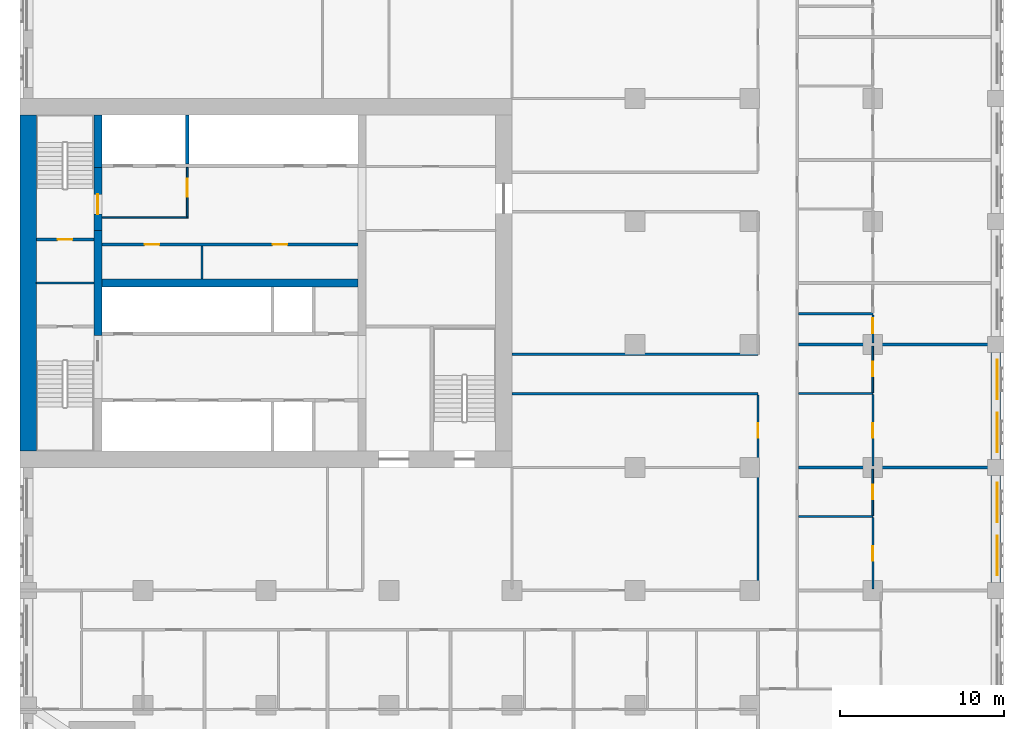
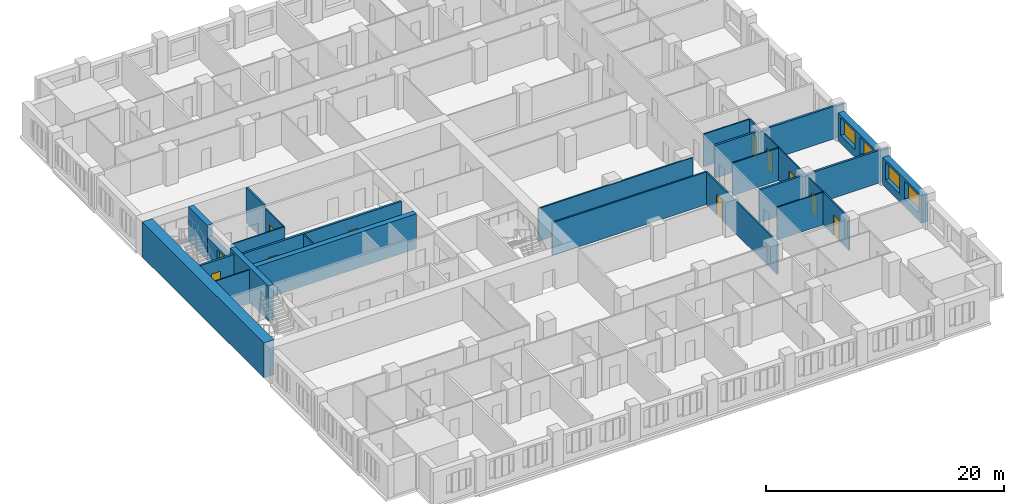
# One storey, part 7 of 14: 27 walls, 11 doors, 4 windows, 15 openings.
"""IFC4 building model written with IfcOpenShell, lengths in metres."""

from ifc_helpers import new_model, si_unit, direction, frame, frame_2d, origin, place, context, subcontext, project, spatial, rectangle, extrude, material, layer, layer_set, type_object, element, fill, save


model = new_model("IFC4")

# Units and contexts
model_context = context("Model", 3, precision=1e-05, world=origin(), true_north=direction((0.0, 1.0)))
body_context = subcontext(model_context, "Body", "Model", "MODEL_VIEW")
ifc_project = project(units=[si_unit("LENGTHUNIT", "METRE"), si_unit("AREAUNIT", "SQUARE_METRE"), si_unit("VOLUMEUNIT", "CUBIC_METRE"), si_unit("PLANEANGLEUNIT", "RADIAN"), si_unit("MASSUNIT", "GRAM", prefix="KILO")], contexts=[model_context])

# Site, building, storey
site_placement = place(None, origin())
site = spatial("IfcSite", under=ifc_project, at=site_placement, CompositionType="ELEMENT")
building_placement = place(site_placement, origin())
building = spatial("IfcBuilding", under=site, at=building_placement, Name="Tamorin Gate", CompositionType="ELEMENT")
storey_placement = place(building_placement, frame((0.0, 0.0, 37.60009765625)))
storey = spatial("IfcBuildingStorey", under=building, at=storey_placement, Name="L07", CompositionType="ELEMENT", Elevation=37.60009765625)

# Wall, openings, windows
ifc_material_1 = material(Name="Precast concrete C40/50", Category="concrete")
ifc_layer_1 = layer(ifc_material_1, 0.60009765625)
ifc_layer_set_1 = layer_set([ifc_layer_1], Name="Precast concrete C40/50")
wall_type_1 = type_object("IfcWallType", Name="Board-marked concrete facade panel 600", PredefinedType="SOLIDWALL", material=ifc_layer_set_1)
wall_1_placement = place(storey_placement, frame((89.5, 53.0, 0.0), z_axis=(0.0, 0.0, 1.0), x_axis=(0.0, 1.0, 0.0)))
wall_1 = element("IfcWall", 1, at=wall_1_placement, inside=storey, type_object=wall_type_1, Name="Facade panel", PredefinedType="SOLIDWALL", context=body_context, shape_type="SweptSolid", body=[
    extrude(rectangle(XDim=6.5, YDim=0.60009765625, at=frame_2d((3.25, 0.0))), origin(), (0.0, 0.0, 1.0), 2.849853515625),
])
opening_1_placement = place(wall_1_placement, frame((0.425048828125, 0.0, 0.800048828125)))
opening_1 = element("IfcOpeningElement", 2, at=opening_1_placement, cuts=wall_1, Name="Opening WN1", PredefinedType="OPENING", context=body_context, shape_type="SweptSolid", body=[
    extrude(rectangle(XDim=2.39990234375, YDim=1.800048828125, at=frame_2d((1.199951171875, 0.89990234375))), frame((0.0, 0.31005859375, 0.0), z_axis=(0.0, -1.0, 0.0), x_axis=(1.0, 0.0, 0.0)), (0.0, 0.0, 1.0), 0.6201171875),
])
opening_2_placement = place(wall_1_placement, frame((3.675048828125, 0.0, 0.800048828125)))
opening_2 = element("IfcOpeningElement", 3, at=opening_2_placement, cuts=wall_1, Name="Opening WN1", PredefinedType="OPENING", context=body_context, shape_type="SweptSolid", body=[
    extrude(rectangle(XDim=2.39990234375, YDim=1.800048828125, at=frame_2d((1.199951171875, 0.89990234375))), frame((0.0, 0.31005859375, 0.0), z_axis=(0.0, -1.0, 0.0), x_axis=(1.0, 0.0, 0.0)), (0.0, 0.0, 1.0), 0.6201171875),
])
ifc_material_2 = material(Name="Clear glass in aluminium frame", Category="aluminium")
window_type = type_object("IfcWindowType", Name="Deep-set window 2400x1800", PartitioningType="SINGLE_PANEL", PredefinedType="WINDOW", material=ifc_material_2)
window_1_placement = place(opening_1_placement, origin())
window_1 = element("IfcWindow", 4, at=window_1_placement, inside=storey, type_object=window_type, Name="Deep-set window", OverallHeight=1.800048828125, OverallWidth=2.39990234375, PartitioningType="SINGLE_PANEL", PredefinedType="WINDOW", context=body_context, shape_type="SweptSolid", body=[
    extrude(rectangle(XDim=2.39990234375, YDim=1.800048828125, at=frame_2d((1.199951171875, 0.89990234375))), frame((0.0, -0.070068359375, 0.0), z_axis=(0.0, -1.0, 0.0), x_axis=(1.0, 0.0, 0.0)), (0.0, 0.0, 1.0), 0.06005859375),
])
fill(opening_1, window_1)
window_2_placement = place(opening_2_placement, origin())
window_2 = element("IfcWindow", 5, at=window_2_placement, inside=storey, type_object=window_type, Name="Deep-set window", OverallHeight=1.800048828125, OverallWidth=2.39990234375, PartitioningType="SINGLE_PANEL", PredefinedType="WINDOW", context=body_context, shape_type="SweptSolid", body=[
    extrude(rectangle(XDim=2.39990234375, YDim=1.800048828125, at=frame_2d((1.199951171875, 0.89990234375))), frame((0.0, -0.070068359375, 0.0), z_axis=(0.0, -1.0, 0.0), x_axis=(1.0, 0.0, 0.0)), (0.0, 0.0, 1.0), 0.06005859375),
])
fill(opening_2, window_2)

wall_2_placement = place(storey_placement, frame((89.5, 60.5, 0.0), z_axis=(0.0, 0.0, 1.0), x_axis=(0.0, 1.0, 0.0)))
wall_2 = element("IfcWall", 6, at=wall_2_placement, inside=storey, type_object=wall_type_1, Name="Facade panel", PredefinedType="SOLIDWALL", context=body_context, shape_type="SweptSolid", body=[
    extrude(rectangle(XDim=6.5, YDim=0.60009765625, at=frame_2d((3.25, 0.0))), origin(), (0.0, 0.0, 1.0), 2.849853515625),
])
opening_3_placement = place(wall_2_placement, frame((0.425048828125, 0.0, 0.800048828125)))
opening_3 = element("IfcOpeningElement", 7, at=opening_3_placement, cuts=wall_2, Name="Opening WN1", PredefinedType="OPENING", context=body_context, shape_type="SweptSolid", body=[
    extrude(rectangle(XDim=2.39990234375, YDim=1.800048828125, at=frame_2d((1.199951171875, 0.89990234375))), frame((0.0, 0.31005859375, 0.0), z_axis=(0.0, -1.0, 0.0), x_axis=(1.0, 0.0, 0.0)), (0.0, 0.0, 1.0), 0.6201171875),
])
opening_4_placement = place(wall_2_placement, frame((3.675048828125, 0.0, 0.800048828125)))
opening_4 = element("IfcOpeningElement", 8, at=opening_4_placement, cuts=wall_2, Name="Opening WN1", PredefinedType="OPENING", context=body_context, shape_type="SweptSolid", body=[
    extrude(rectangle(XDim=2.39990234375, YDim=1.800048828125, at=frame_2d((1.199951171875, 0.89990234375))), frame((0.0, 0.31005859375, 0.0), z_axis=(0.0, -1.0, 0.0), x_axis=(1.0, 0.0, 0.0)), (0.0, 0.0, 1.0), 0.6201171875),
])
window_3_placement = place(opening_3_placement, origin())
window_3 = element("IfcWindow", 9, at=window_3_placement, inside=storey, type_object=window_type, Name="Deep-set window", OverallHeight=1.800048828125, OverallWidth=2.39990234375, PartitioningType="SINGLE_PANEL", PredefinedType="WINDOW", context=body_context, shape_type="SweptSolid", body=[
    extrude(rectangle(XDim=2.39990234375, YDim=1.800048828125, at=frame_2d((1.199951171875, 0.89990234375))), frame((0.0, -0.070068359375, 0.0), z_axis=(0.0, -1.0, 0.0), x_axis=(1.0, 0.0, 0.0)), (0.0, 0.0, 1.0), 0.06005859375),
])
fill(opening_3, window_3)
window_4_placement = place(opening_4_placement, origin())
window_4 = element("IfcWindow", 10, at=window_4_placement, inside=storey, type_object=window_type, Name="Deep-set window", OverallHeight=1.800048828125, OverallWidth=2.39990234375, PartitioningType="SINGLE_PANEL", PredefinedType="WINDOW", context=body_context, shape_type="SweptSolid", body=[
    extrude(rectangle(XDim=2.39990234375, YDim=1.800048828125, at=frame_2d((1.199951171875, 0.89990234375))), frame((0.0, -0.070068359375, 0.0), z_axis=(0.0, -1.0, 0.0), x_axis=(1.0, 0.0, 0.0)), (0.0, 0.0, 1.0), 0.06005859375),
])
fill(opening_4, window_4)

# Wall, opening, door
ifc_material_3 = material(Name="Gypsum board partition")
ifc_layer_2 = layer(ifc_material_3, 0.14990234375)
ifc_layer_set_2 = layer_set([ifc_layer_2], Name="Corridor wall 150")
wall_type_2 = type_object("IfcWallType", Name="Corridor wall 150", PredefinedType="PARTITIONING", material=ifc_layer_set_2)
wall_3_placement = place(storey_placement, frame((75.0, 52.574951171875, 0.0), z_axis=(0.0, 0.0, 1.0), x_axis=(0.0, 1.0, 0.0)))
wall_3 = element("IfcWall", 11, at=wall_3_placement, inside=storey, type_object=wall_type_2, Name="Corridor wall 150", PredefinedType="PARTITIONING", context=body_context, shape_type="SweptSolid", body=[
    extrude(rectangle(XDim=11.85009765625, YDim=0.14990234375, at=frame_2d((5.925048828125, 0.0))), origin(), (0.0, 0.0, 1.0), 3.349853515625),
])
opening_5_placement = place(wall_3_placement, frame((9.22509765625, 0.0, 0.0)))
opening_5 = element("IfcOpeningElement", 12, at=opening_5_placement, cuts=wall_3, Name="Opening DH2074", PredefinedType="OPENING", context=body_context, shape_type="SweptSolid", body=[
    extrude(rectangle(XDim=0.89990234375, YDim=2.10009765625, at=frame_2d((0.449951171875, 1.050048828125))), frame((0.0, 0.0849609375, 0.0), z_axis=(0.0, -1.0, 0.0), x_axis=(1.0, 0.0, 0.0)), (0.0, 0.0, 1.0), 0.169921875),
])
ifc_material_4 = material(Name="Timber door leaf", Category="wood")
door_type_1 = type_object("IfcDoorType", Name="Door 900 x 2100 FD30S", OperationType="NOTDEFINED", PredefinedType="DOOR", material=ifc_material_4)
door_1_placement = place(opening_5_placement, origin())
door_1 = element("IfcDoor", 13, at=door_1_placement, inside=storey, type_object=door_type_1, Name="Door DH2074", OperationType="SINGLE_SWING_LEFT", OverallHeight=2.10009765625, OverallWidth=0.89990234375, PredefinedType="DOOR", context=body_context, shape_type="SweptSolid", body=[
    extrude(rectangle(XDim=0.89990234375, YDim=2.10009765625, at=frame_2d((0.449951171875, 1.050048828125))), frame((0.0, 0.02490234375, 0.0), z_axis=(0.0, -1.0, 0.0), x_axis=(1.0, 0.0, 0.0)), (0.0, 0.0, 1.0), 0.050048828125),
])
fill(opening_5, door_1)

# Walls
ifc_layer_3 = layer(ifc_material_3, 0.199951171875)
ifc_layer_set_3 = layer_set([ifc_layer_3], Name="Demising wall 200")
wall_type_3 = type_object("IfcWallType", Name="Demising wall 200", PredefinedType="PARTITIONING", material=ifc_layer_set_3)
for number, where, z_axis, x_axis, name in (
    (14, (77.47509765625, 60.0, 0.0), (0.0, 0.0, 1.0), (1.0, 0.0, 0.0), "Demising wall 200"),
    (15, (77.47509765625, 67.5, 0.0), (0.0, 0.0, 1.0), (1.0, 0.0, 0.0), "Demising wall 200"),
):
    element("IfcWall", number, at=place(storey_placement, frame(where, z_axis=z_axis, x_axis=x_axis)), inside=storey, type_object=wall_type_3, Name=name, PredefinedType="PARTITIONING", context=body_context, shape_type="SweptSolid", body=[
        extrude(rectangle(XDim=12.52490234375, YDim=0.199951171875, at=frame_2d((6.262451171875, 0.0))), origin(), (0.0, 0.0, 1.0), 3.349853515625),
    ])
ifc_material_5 = material(Name="Concrete C32/40", Category="concrete")
ifc_layer_4 = layer(ifc_material_5, 0.199951171875)
ifc_layer_set_4 = layer_set([ifc_layer_4], Name="Lift shaft wall 200 EI 120")
wall_type_4 = type_object("IfcWallType", Name="Lift shaft wall 200 EI 120", PredefinedType="SOLIDWALL", material=ifc_layer_set_4)
wall_4_placement = place(storey_placement, frame((40.199951171875, 78.5, 0.0), z_axis=(0.0, 0.0, 1.0), x_axis=(0.0, 1.0, 0.0)))
element("IfcWall", 16, at=wall_4_placement, inside=storey, type_object=wall_type_4, Name="Lift shaft wall", PredefinedType="SOLIDWALL", context=body_context, shape_type="SweptSolid", body=[
    extrude(rectangle(XDim=3.0, YDim=0.199951171875, at=frame_2d((1.5, 0.0))), origin(), (0.0, 0.0, 1.0), 3.599853515625),
])
ifc_material_6 = material(Name="Fire-rated gypsum board partition")
ifc_layer_5 = layer(ifc_material_6, 0.10009765625)
ifc_layer_set_5 = layer_set([ifc_layer_5], Name="Lobby wall 100 EI 60")
wall_type_5 = type_object("IfcWallType", Name="Lobby wall 100 EI 60", PredefinedType="PARTITIONING", material=ifc_layer_set_5)
wall_5_placement = place(storey_placement, frame((35.0, 75.25, 0.0), z_axis=(0.0, 0.0, 1.0), x_axis=(1.0, 0.0, 0.0)))
element("IfcWall", 17, at=wall_5_placement, inside=storey, type_object=wall_type_5, Name="Firefighting lobby wall", PredefinedType="PARTITIONING", context=body_context, shape_type="SweptSolid", body=[
    extrude(rectangle(XDim=5.25, YDim=0.10009765625, at=frame_2d((2.625, 0.0))), origin(), (0.0, 0.0, 1.0), 3.349853515625),
])

# Wall, opening, door
wall_6_placement = place(storey_placement, frame((40.199951171875, 75.300048828125, 0.0), z_axis=(0.0, 0.0, 1.0), x_axis=(0.0, 1.0, 0.0)))
wall_6 = element("IfcWall", 18, at=wall_6_placement, inside=storey, type_object=wall_type_5, Name="Firefighting lobby wall", PredefinedType="PARTITIONING", context=body_context, shape_type="SweptSolid", body=[
    extrude(rectangle(XDim=3.0, YDim=0.10009765625, at=frame_2d((1.5, 0.0))), origin(), (0.0, 0.0, 1.0), 3.349853515625),
])
opening_6_placement = place(wall_6_placement, frame((1.199951171875, 0.0, 0.0)))
opening_6 = element("IfcOpeningElement", 19, at=opening_6_placement, cuts=wall_6, Name="Opening DF1", PredefinedType="OPENING", context=body_context, shape_type="SweptSolid", body=[
    extrude(rectangle(XDim=1.10009765625, YDim=2.10009765625, at=frame_2d((0.550048828125, 1.050048828125))), frame((0.0, 0.06005859375, 0.0), z_axis=(0.0, -1.0, 0.0), x_axis=(1.0, 0.0, 0.0)), (0.0, 0.0, 1.0), 0.1201171875),
])
ifc_material_7 = material(Name="Steel fire door", Category="steel")
door_type_2 = type_object("IfcDoorType", Name="Firefighting lobby door 1100 x 2100 EI 90", OperationType="SINGLE_SWING_LEFT", PredefinedType="DOOR", material=ifc_material_7)
door_2_placement = place(opening_6_placement, origin())
door_2 = element("IfcDoor", 20, at=door_2_placement, inside=storey, type_object=door_type_2, Name="Firefighting lobby door", OperationType="SINGLE_SWING_LEFT", OverallHeight=2.10009765625, OverallWidth=1.10009765625, PredefinedType="DOOR", context=body_context, shape_type="SweptSolid", body=[
    extrude(rectangle(XDim=1.10009765625, YDim=2.10009765625, at=frame_2d((0.550048828125, 1.050048828125))), frame((0.0, 0.02490234375, 0.0), z_axis=(0.0, -1.0, 0.0), x_axis=(1.0, 0.0, 0.0)), (0.0, 0.0, 1.0), 0.050048828125),
])
fill(opening_6, door_2)

# Walls
ifc_layer_6 = layer(ifc_material_3, 0.14990234375)
ifc_layer_set_6 = layer_set([ifc_layer_6], Name="Lobby wall 150")
wall_type_6 = type_object("IfcWallType", Name="Lobby wall 150", PredefinedType="PARTITIONING", material=ifc_layer_set_6)
for number, where, z_axis, x_axis, name in (
    (21, (60.0, 64.5, 0.0), (0.0, 0.0, 1.0), (1.0, 0.0, 0.0), "Lobby wall 150"),
    (22, (60.0, 66.89990234375, 0.0), (0.0, 0.0, 1.0), (1.0, 0.0, 0.0), "Lobby wall 150"),
):
    element("IfcWall", number, at=place(storey_placement, frame(where, z_axis=z_axis, x_axis=x_axis)), inside=storey, type_object=wall_type_6, Name=name, PredefinedType="PARTITIONING", context=body_context, shape_type="SweptSolid", body=[
        extrude(rectangle(XDim=15.0, YDim=0.14990234375, at=frame_2d((7.5, 0.0))), origin(), (0.0, 0.0, 1.0), 3.349853515625),
    ])
ifc_material_8 = material(Name="Concrete C80/95", Category="concrete")
ifc_layer_7 = layer(ifc_material_8, 0.5)
ifc_layer_set_7 = layer_set([ifc_layer_7], Name="RC core internal wall 500 C80/95")
wall_type_7 = type_object("IfcWallType", Name="RC core internal wall 500 C80/95", PredefinedType="SHEAR", material=ifc_layer_set_7)
wall_7_placement = place(storey_placement, frame((35.0, 71.25, 0.0), z_axis=(0.0, 0.0, 1.0), x_axis=(1.0, 0.0, 0.0)))
element("IfcWall", 23, at=wall_7_placement, inside=storey, type_object=wall_type_7, Name="Core spine wall L07", PredefinedType="SHEAR", context=body_context, shape_type="SweptSolid", body=[
    extrude(rectangle(XDim=15.60009765625, YDim=0.5, at=frame_2d((7.800048828125, 0.0))), origin(), (0.0, 0.0, 1.0), 3.599853515625),
])
wall_8_placement = place(storey_placement, frame((34.75, 68.050048828125, 0.0), z_axis=(0.0, 0.0, 1.0), x_axis=(0.0, 1.0, 0.0)))
element("IfcWall", 24, at=wall_8_placement, inside=storey, type_object=wall_type_7, Name="Core cross wall L07", PredefinedType="SHEAR", context=body_context, shape_type="SweptSolid", body=[
    extrude(rectangle(XDim=6.39990234375, YDim=0.5, at=frame_2d((3.199951171875, 0.0))), origin(), (0.0, 0.0, 1.0), 3.599853515625),
])
wall_9_placement = place(storey_placement, frame((34.75, 78.300048828125, 0.0), z_axis=(0.0, 0.0, 1.0), x_axis=(0.0, 1.0, 0.0)))
element("IfcWall", 25, at=wall_9_placement, inside=storey, type_object=wall_type_7, Name="Core cross wall L07", PredefinedType="SHEAR", context=body_context, shape_type="SweptSolid", body=[
    extrude(rectangle(XDim=3.199951171875, YDim=0.5, at=frame_2d((1.60009765625, 0.0))), origin(), (0.0, 0.0, 1.0), 3.599853515625),
])
ifc_layer_8 = layer(ifc_material_8, 1.0)
ifc_layer_set_8 = layer_set([ifc_layer_8], Name="RC core wall 1000 C80/95")
wall_type_8 = type_object("IfcWallType", Name="RC core wall 1000 C80/95", PredefinedType="SHEAR", material=ifc_layer_set_8)
wall_10_placement = place(storey_placement, frame((30.5, 61.0, 0.0), z_axis=(0.0, 0.0, 1.0), x_axis=(0.0, 1.0, 0.0)))
element("IfcWall", 26, at=wall_10_placement, inside=storey, type_object=wall_type_8, Name="Core wall L07", PredefinedType="SHEAR", context=body_context, shape_type="SweptSolid", body=[
    extrude(rectangle(XDim=20.5, YDim=1.0, at=frame_2d((10.25, 0.0))), origin(), (0.0, 0.0, 1.0), 3.599853515625),
])
ifc_layer_9 = layer(ifc_material_6, 0.10009765625)
ifc_layer_set_9 = layer_set([ifc_layer_9], Name="Riser partition 100 EI 120")
wall_type_9 = type_object("IfcWallType", Name="Riser partition 100 EI 120", PredefinedType="PARTITIONING", material=ifc_layer_set_9)
wall_11_placement = place(storey_placement, frame((31.0, 71.25, 0.0), z_axis=(0.0, 0.0, 1.0), x_axis=(1.0, 0.0, 0.0)))
element("IfcWall", 27, at=wall_11_placement, inside=storey, type_object=wall_type_9, Name="Riser partition", PredefinedType="PARTITIONING", context=body_context, shape_type="SweptSolid", body=[
    extrude(rectangle(XDim=3.5, YDim=0.10009765625, at=frame_2d((1.75, 0.0))), origin(), (0.0, 0.0, 1.0), 3.349853515625),
])

# Wall, opening, door
ifc_layer_10 = layer(ifc_material_3, 0.10009765625)
ifc_layer_set_10 = layer_set([ifc_layer_10], Name="Room partition 100")
wall_type_10 = type_object("IfcWallType", Name="Room partition 100", PredefinedType="PARTITIONING", material=ifc_layer_set_10)
wall_12_placement = place(storey_placement, frame((82.0, 57.0625, 0.0), z_axis=(0.0, 0.0, 1.0), x_axis=(0.0, 1.0, 0.0)))
wall_12 = element("IfcWall", 28, at=wall_12_placement, inside=storey, type_object=wall_type_10, Name="Room partition 100", PredefinedType="PARTITIONING", context=body_context, shape_type="SweptSolid", body=[
    extrude(rectangle(XDim=2.83740234375, YDim=0.10009765625, at=frame_2d((1.418701171875, 0.0))), origin(), (0.0, 0.0, 1.0), 3.349853515625),
])
opening_7_placement = place(wall_12_placement, frame((0.987548828125, 0.0, 0.0)))
opening_7 = element("IfcOpeningElement", 29, at=opening_7_placement, cuts=wall_12, Name="Opening DH2039", PredefinedType="OPENING", context=body_context, shape_type="SweptSolid", body=[
    extrude(rectangle(XDim=0.89990234375, YDim=2.10009765625, at=frame_2d((0.449951171875, 1.050048828125))), frame((0.0, 0.06005859375, 0.0), z_axis=(0.0, -1.0, 0.0), x_axis=(1.0, 0.0, 0.0)), (0.0, 0.0, 1.0), 0.1201171875),
])
door_type_3 = type_object("IfcDoorType", Name="Door 900 x 2100", OperationType="NOTDEFINED", PredefinedType="DOOR", material=ifc_material_4)
door_3_placement = place(opening_7_placement, origin())
door_3 = element("IfcDoor", 30, at=door_3_placement, inside=storey, type_object=door_type_3, Name="Door DH2039", OperationType="SINGLE_SWING_LEFT", OverallHeight=2.10009765625, OverallWidth=0.89990234375, PredefinedType="DOOR", context=body_context, shape_type="SweptSolid", body=[
    extrude(rectangle(XDim=0.89990234375, YDim=2.10009765625, at=frame_2d((0.449951171875, 1.050048828125))), frame((0.0, 0.02490234375, 0.0), z_axis=(0.0, -1.0, 0.0), x_axis=(1.0, 0.0, 0.0)), (0.0, 0.0, 1.0), 0.050048828125),
])
fill(opening_7, door_3)

wall_13_placement = place(storey_placement, frame((82.0, 64.5625, 0.0), z_axis=(0.0, 0.0, 1.0), x_axis=(0.0, 1.0, 0.0)))
wall_13 = element("IfcWall", 31, at=wall_13_placement, inside=storey, type_object=wall_type_10, Name="Room partition 100", PredefinedType="PARTITIONING", context=body_context, shape_type="SweptSolid", body=[
    extrude(rectangle(XDim=2.83740234375, YDim=0.10009765625, at=frame_2d((1.418701171875, 0.0))), origin(), (0.0, 0.0, 1.0), 3.349853515625),
])
opening_8_placement = place(wall_13_placement, frame((0.987548828125, 0.0, 0.0)))
opening_8 = element("IfcOpeningElement", 32, at=opening_8_placement, cuts=wall_13, Name="Opening DH2042", PredefinedType="OPENING", context=body_context, shape_type="SweptSolid", body=[
    extrude(rectangle(XDim=0.89990234375, YDim=2.10009765625, at=frame_2d((0.449951171875, 1.050048828125))), frame((0.0, 0.06005859375, 0.0), z_axis=(0.0, -1.0, 0.0), x_axis=(1.0, 0.0, 0.0)), (0.0, 0.0, 1.0), 0.1201171875),
])
door_4_placement = place(opening_8_placement, origin())
door_4 = element("IfcDoor", 33, at=door_4_placement, inside=storey, type_object=door_type_3, Name="Door DH2042", OperationType="SINGLE_SWING_LEFT", OverallHeight=2.10009765625, OverallWidth=0.89990234375, PredefinedType="DOOR", context=body_context, shape_type="SweptSolid", body=[
    extrude(rectangle(XDim=0.89990234375, YDim=2.10009765625, at=frame_2d((0.449951171875, 1.050048828125))), frame((0.0, 0.02490234375, 0.0), z_axis=(0.0, -1.0, 0.0), x_axis=(1.0, 0.0, 0.0)), (0.0, 0.0, 1.0), 0.050048828125),
])
fill(opening_8, door_4)

# Wall, openings, doors
ifc_layer_11 = layer(ifc_material_3, 0.199951171875)
ifc_layer_set_11 = layer_set([ifc_layer_11], Name="Service room face wall 200 EI 60")
wall_type_11 = type_object("IfcWallType", Name="Service room face wall 200 EI 60", PredefinedType="PARTITIONING", material=ifc_layer_set_11)
wall_14_placement = place(storey_placement, frame((35.0, 73.60009765625, 0.0), z_axis=(0.0, 0.0, 1.0), x_axis=(1.0, 0.0, 0.0)))
wall_14 = element("IfcWall", 34, at=wall_14_placement, inside=storey, type_object=wall_type_11, Name="Service room face wall", PredefinedType="PARTITIONING", context=body_context, shape_type="SweptSolid", body=[
    extrude(rectangle(XDim=15.60009765625, YDim=0.199951171875, at=frame_2d((7.800048828125, 0.0))), origin(), (0.0, 0.0, 1.0), 3.349853515625),
])
opening_9_placement = place(wall_14_placement, frame((2.60009765625, 0.0, 0.0)))
opening_9 = element("IfcOpeningElement", 35, at=opening_9_placement, cuts=wall_14, Name="Opening DK1", PredefinedType="OPENING", context=body_context, shape_type="SweptSolid", body=[
    extrude(rectangle(XDim=0.89990234375, YDim=2.10009765625, at=frame_2d((0.449951171875, 1.050048828125))), frame((0.0, 0.10986328125, 0.0), z_axis=(0.0, -1.0, 0.0), x_axis=(1.0, 0.0, 0.0)), (0.0, 0.0, 1.0), 0.219970703125),
])
opening_10_placement = place(wall_14_placement, frame((10.39990234375, 0.0, 0.0)))
opening_10 = element("IfcOpeningElement", 36, at=opening_10_placement, cuts=wall_14, Name="Opening DK1", PredefinedType="OPENING", context=body_context, shape_type="SweptSolid", body=[
    extrude(rectangle(XDim=0.89990234375, YDim=2.10009765625, at=frame_2d((0.449951171875, 1.050048828125))), frame((0.0, 0.10986328125, 0.0), z_axis=(0.0, -1.0, 0.0), x_axis=(1.0, 0.0, 0.0)), (0.0, 0.0, 1.0), 0.219970703125),
])
ifc_material_9 = material(Name="Timber fire door", Category="wood")
door_type_4 = type_object("IfcDoorType", Name="Service room door 900 x 2100 EI 60", OperationType="SINGLE_SWING_LEFT", PredefinedType="DOOR", material=ifc_material_9)
door_5_placement = place(opening_9_placement, origin())
door_5 = element("IfcDoor", 37, at=door_5_placement, inside=storey, type_object=door_type_4, Name="Door Cleaner's store", OperationType="SINGLE_SWING_LEFT", OverallHeight=2.10009765625, OverallWidth=0.89990234375, PredefinedType="DOOR", context=body_context, shape_type="SweptSolid", body=[
    extrude(rectangle(XDim=0.89990234375, YDim=2.10009765625, at=frame_2d((0.449951171875, 1.050048828125))), frame((0.0, 0.02490234375, 0.0), z_axis=(0.0, -1.0, 0.0), x_axis=(1.0, 0.0, 0.0)), (0.0, 0.0, 1.0), 0.050048828125),
])
fill(opening_9, door_5)
door_6_placement = place(opening_10_placement, origin())
door_6 = element("IfcDoor", 38, at=door_6_placement, inside=storey, type_object=door_type_4, Name="Door Pantry", OperationType="SINGLE_SWING_RIGHT", OverallHeight=2.10009765625, OverallWidth=0.89990234375, PredefinedType="DOOR", context=body_context, shape_type="SweptSolid", body=[
    extrude(rectangle(XDim=0.89990234375, YDim=2.10009765625, at=frame_2d((0.449951171875, 1.050048828125))), frame((0.0, 0.02490234375, 0.0), z_axis=(0.0, -1.0, 0.0), x_axis=(1.0, 0.0, 0.0)), (0.0, 0.0, 1.0), 0.050048828125),
])
fill(opening_10, door_6)

# Wall
ifc_layer_12 = layer(ifc_material_3, 0.10009765625)
ifc_layer_set_12 = layer_set([ifc_layer_12], Name="Service room partition 100 EI 60")
wall_type_12 = type_object("IfcWallType", Name="Service room partition 100 EI 60", PredefinedType="PARTITIONING", material=ifc_layer_set_12)
wall_15_placement = place(storey_placement, frame((41.10009765625, 71.5, 0.0), z_axis=(0.0, 0.0, 1.0), x_axis=(0.0, 1.0, 0.0)))
element("IfcWall", 39, at=wall_15_placement, inside=storey, type_object=wall_type_12, Name="Service room partition", PredefinedType="PARTITIONING", context=body_context, shape_type="SweptSolid", body=[
    extrude(rectangle(XDim=2.0, YDim=0.10009765625, at=frame_2d((1.0, 0.0))), origin(), (0.0, 0.0, 1.0), 3.349853515625),
])

# Wall, opening, door
ifc_material_10 = material(Name="Concrete C40/50", Category="concrete")
ifc_layer_13 = layer(ifc_material_10, 0.199951171875)
ifc_layer_set_13 = layer_set([ifc_layer_13], Name="Stair enclosure wall 200 EI 120 C40/50")
wall_type_13 = type_object("IfcWallType", Name="Stair enclosure wall 200 EI 120 C40/50", PredefinedType="SOLIDWALL", material=ifc_layer_set_13)
wall_16_placement = place(storey_placement, frame((31.0, 73.89990234375, 0.0), z_axis=(0.0, 0.0, 1.0), x_axis=(1.0, 0.0, 0.0)))
wall_16 = element("IfcWall", 40, at=wall_16_placement, inside=storey, type_object=wall_type_13, Name="Stair enclosure wall", PredefinedType="SOLIDWALL", context=body_context, shape_type="SweptSolid", body=[
    extrude(rectangle(XDim=3.5, YDim=0.199951171875, at=frame_2d((1.75, 0.0))), origin(), (0.0, 0.0, 1.0), 3.349853515625),
])
opening_11_placement = place(wall_16_placement, frame((1.300048828125, 0.0, 0.0)))
opening_11 = element("IfcOpeningElement", 41, at=opening_11_placement, cuts=wall_16, Name="Opening DR1", PredefinedType="OPENING", context=body_context, shape_type="SweptSolid", body=[
    extrude(rectangle(XDim=0.89990234375, YDim=2.10009765625, at=frame_2d((0.449951171875, 1.050048828125))), frame((0.0, 0.10986328125, 0.0), z_axis=(0.0, -1.0, 0.0), x_axis=(1.0, 0.0, 0.0)), (0.0, 0.0, 1.0), 0.219970703125),
])
door_type_5 = type_object("IfcDoorType", Name="Riser access door 900 x 2100 EI 120", OperationType="SINGLE_SWING_LEFT", PredefinedType="DOOR", material=ifc_material_7)
door_7_placement = place(opening_11_placement, origin())
door_7 = element("IfcDoor", 42, at=door_7_placement, inside=storey, type_object=door_type_5, Name="Communications riser door", OperationType="SINGLE_SWING_RIGHT", OverallHeight=2.10009765625, OverallWidth=0.89990234375, PredefinedType="DOOR", context=body_context, shape_type="SweptSolid", body=[
    extrude(rectangle(XDim=0.89990234375, YDim=2.10009765625, at=frame_2d((0.449951171875, 1.050048828125))), frame((0.0, 0.02490234375, 0.0), z_axis=(0.0, -1.0, 0.0), x_axis=(1.0, 0.0, 0.0)), (0.0, 0.0, 1.0), 0.050048828125),
])
fill(opening_11, door_7)

ifc_layer_14 = layer(ifc_material_5, 0.5)
ifc_layer_set_14 = layer_set([ifc_layer_14], Name="Stair lobby infill wall 500 EI 120")
wall_type_14 = type_object("IfcWallType", Name="Stair lobby infill wall 500 EI 120", PredefinedType="SOLIDWALL", material=ifc_layer_set_14)
wall_17_placement = place(storey_placement, frame((34.75, 74.449951171875, 0.0), z_axis=(0.0, 0.0, 1.0), x_axis=(0.0, 1.0, 0.0)))
wall_17 = element("IfcWall", 43, at=wall_17_placement, inside=storey, type_object=wall_type_14, Name="Stair lobby infill wall", PredefinedType="SOLIDWALL", context=body_context, shape_type="SweptSolid", body=[
    extrude(rectangle(XDim=3.85009765625, YDim=0.5, at=frame_2d((1.925048828125, 0.0))), origin(), (0.0, 0.0, 1.0), 2.39990234375),
])
opening_12_placement = place(wall_17_placement, frame((1.0, 0.0, 0.0)))
opening_12 = element("IfcOpeningElement", 44, at=opening_12_placement, cuts=wall_17, Name="Opening DS1", PredefinedType="OPENING", context=body_context, shape_type="SweptSolid", body=[
    extrude(rectangle(XDim=1.199951171875, YDim=2.10009765625, at=frame_2d((0.60009765625, 1.050048828125))), frame((0.0, 0.260009765625, 0.0), z_axis=(0.0, -1.0, 0.0), x_axis=(1.0, 0.0, 0.0)), (0.0, 0.0, 1.0), 0.52001953125),
])
door_type_6 = type_object("IfcDoorType", Name="Stair door 1200 x 2100 EI 90", OperationType="SINGLE_SWING_LEFT", PredefinedType="DOOR", material=ifc_material_7)
door_8_placement = place(opening_12_placement, origin())
door_8 = element("IfcDoor", 45, at=door_8_placement, inside=storey, type_object=door_type_6, Name="ST2 door", OperationType="SINGLE_SWING_RIGHT", OverallHeight=2.10009765625, OverallWidth=1.199951171875, PredefinedType="DOOR", context=body_context, shape_type="SweptSolid", body=[
    extrude(rectangle(XDim=1.199951171875, YDim=2.10009765625, at=frame_2d((0.60009765625, 1.050048828125))), frame((0.0, 0.02490234375, 0.0), z_axis=(0.0, -1.0, 0.0), x_axis=(1.0, 0.0, 0.0)), (0.0, 0.0, 1.0), 0.050048828125),
])
fill(opening_12, door_8)

# Walls
ifc_layer_15 = layer(ifc_material_3, 0.125)
ifc_layer_set_15 = layer_set([ifc_layer_15], Name="Wet wall 125")
wall_type_15 = type_object("IfcWallType", Name="Wet wall 125", PredefinedType="PARTITIONING", material=ifc_layer_set_15)
for number, where, z_axis, x_axis, name in (
    (46, (77.47509765625, 57.0, 0.0), (0.0, 0.0, 1.0), (1.0, 0.0, 0.0), "Wet wall 125"),
    (47, (77.47509765625, 64.5, 0.0), (0.0, 0.0, 1.0), (1.0, 0.0, 0.0), "Wet wall 125"),
    (48, (77.47509765625, 69.375, 0.0), (0.0, 0.0, 1.0), (1.0, 0.0, 0.0), "Wet wall 125"),
):
    element("IfcWall", number, at=place(storey_placement, frame(where, z_axis=z_axis, x_axis=x_axis)), inside=storey, type_object=wall_type_15, Name=name, PredefinedType="PARTITIONING", context=body_context, shape_type="SweptSolid", body=[
        extrude(rectangle(XDim=4.52490234375, YDim=0.125, at=frame_2d((2.262451171875, 0.0))), origin(), (0.0, 0.0, 1.0), 3.349853515625),
    ])

# Wall, opening, door
wall_18_placement = place(storey_placement, frame((82.0, 52.60009765625, 0.0), z_axis=(0.0, 0.0, 1.0), x_axis=(0.0, 1.0, 0.0)))
wall_18 = element("IfcWall", 49, at=wall_18_placement, inside=storey, type_object=wall_type_15, Name="Wet wall 125", PredefinedType="PARTITIONING", context=body_context, shape_type="SweptSolid", body=[
    extrude(rectangle(XDim=4.33740234375, YDim=0.125, at=frame_2d((2.168701171875, 0.0))), origin(), (0.0, 0.0, 1.0), 3.349853515625),
])
opening_13_placement = place(wall_18_placement, frame((1.699951171875, 0.0, 0.0)))
opening_13 = element("IfcOpeningElement", 50, at=opening_13_placement, cuts=wall_18, Name="Opening DH2037", PredefinedType="OPENING", context=body_context, shape_type="SweptSolid", body=[
    extrude(rectangle(XDim=0.89990234375, YDim=2.10009765625, at=frame_2d((0.449951171875, 1.050048828125))), frame((0.0, 0.072509765625, 0.0), z_axis=(0.0, -1.0, 0.0), x_axis=(1.0, 0.0, 0.0)), (0.0, 0.0, 1.0), 0.14501953125),
])
door_9_placement = place(opening_13_placement, origin())
door_9 = element("IfcDoor", 51, at=door_9_placement, inside=storey, type_object=door_type_3, Name="Door DH2037", OperationType="SINGLE_SWING_LEFT", OverallHeight=2.10009765625, OverallWidth=0.89990234375, PredefinedType="DOOR", context=body_context, shape_type="SweptSolid", body=[
    extrude(rectangle(XDim=0.89990234375, YDim=2.10009765625, at=frame_2d((0.449951171875, 1.050048828125))), frame((0.0, 0.02490234375, 0.0), z_axis=(0.0, -1.0, 0.0), x_axis=(1.0, 0.0, 0.0)), (0.0, 0.0, 1.0), 0.050048828125),
])
fill(opening_13, door_9)

wall_19_placement = place(storey_placement, frame((82.0, 60.10009765625, 0.0), z_axis=(0.0, 0.0, 1.0), x_axis=(0.0, 1.0, 0.0)))
wall_19 = element("IfcWall", 52, at=wall_19_placement, inside=storey, type_object=wall_type_15, Name="Wet wall 125", PredefinedType="PARTITIONING", context=body_context, shape_type="SweptSolid", body=[
    extrude(rectangle(XDim=4.33740234375, YDim=0.125, at=frame_2d((2.168701171875, 0.0))), origin(), (0.0, 0.0, 1.0), 3.349853515625),
])
opening_14_placement = place(wall_19_placement, frame((1.699951171875, 0.0, 0.0)))
opening_14 = element("IfcOpeningElement", 53, at=opening_14_placement, cuts=wall_19, Name="Opening DH2040", PredefinedType="OPENING", context=body_context, shape_type="SweptSolid", body=[
    extrude(rectangle(XDim=0.89990234375, YDim=2.10009765625, at=frame_2d((0.449951171875, 1.050048828125))), frame((0.0, 0.072509765625, 0.0), z_axis=(0.0, -1.0, 0.0), x_axis=(1.0, 0.0, 0.0)), (0.0, 0.0, 1.0), 0.14501953125),
])
door_10_placement = place(opening_14_placement, origin())
door_10 = element("IfcDoor", 54, at=door_10_placement, inside=storey, type_object=door_type_3, Name="Door DH2040", OperationType="SINGLE_SWING_LEFT", OverallHeight=2.10009765625, OverallWidth=0.89990234375, PredefinedType="DOOR", context=body_context, shape_type="SweptSolid", body=[
    extrude(rectangle(XDim=0.89990234375, YDim=2.10009765625, at=frame_2d((0.449951171875, 1.050048828125))), frame((0.0, 0.02490234375, 0.0), z_axis=(0.0, -1.0, 0.0), x_axis=(1.0, 0.0, 0.0)), (0.0, 0.0, 1.0), 0.050048828125),
])
fill(opening_14, door_10)

wall_20_placement = place(storey_placement, frame((82.0, 67.60009765625, 0.0), z_axis=(0.0, 0.0, 1.0), x_axis=(0.0, 1.0, 0.0)))
wall_20 = element("IfcWall", 55, at=wall_20_placement, inside=storey, type_object=wall_type_15, Name="Wet wall 125", PredefinedType="PARTITIONING", context=body_context, shape_type="SweptSolid", body=[
    extrude(rectangle(XDim=1.71240234375, YDim=0.125, at=frame_2d((0.856201171875, 0.0))), origin(), (0.0, 0.0, 1.0), 3.349853515625),
])
opening_15_placement = place(wall_20_placement, frame((0.58740234375, 0.0, 0.0)))
opening_15 = element("IfcOpeningElement", 56, at=opening_15_placement, cuts=wall_20, Name="Opening DH2043", PredefinedType="OPENING", context=body_context, shape_type="SweptSolid", body=[
    extrude(rectangle(XDim=0.89990234375, YDim=2.10009765625, at=frame_2d((0.449951171875, 1.050048828125))), frame((0.0, 0.072509765625, 0.0), z_axis=(0.0, -1.0, 0.0), x_axis=(1.0, 0.0, 0.0)), (0.0, 0.0, 1.0), 0.14501953125),
])
door_11_placement = place(opening_15_placement, origin())
door_11 = element("IfcDoor", 57, at=door_11_placement, inside=storey, type_object=door_type_3, Name="Door DH2043", OperationType="SINGLE_SWING_RIGHT", OverallHeight=2.10009765625, OverallWidth=0.89990234375, PredefinedType="DOOR", context=body_context, shape_type="SweptSolid", body=[
    extrude(rectangle(XDim=0.89990234375, YDim=2.10009765625, at=frame_2d((0.449951171875, 1.050048828125))), frame((0.0, 0.02490234375, 0.0), z_axis=(0.0, -1.0, 0.0), x_axis=(1.0, 0.0, 0.0)), (0.0, 0.0, 1.0), 0.050048828125),
])
fill(opening_15, door_11)

save(model, "model.ifc")
